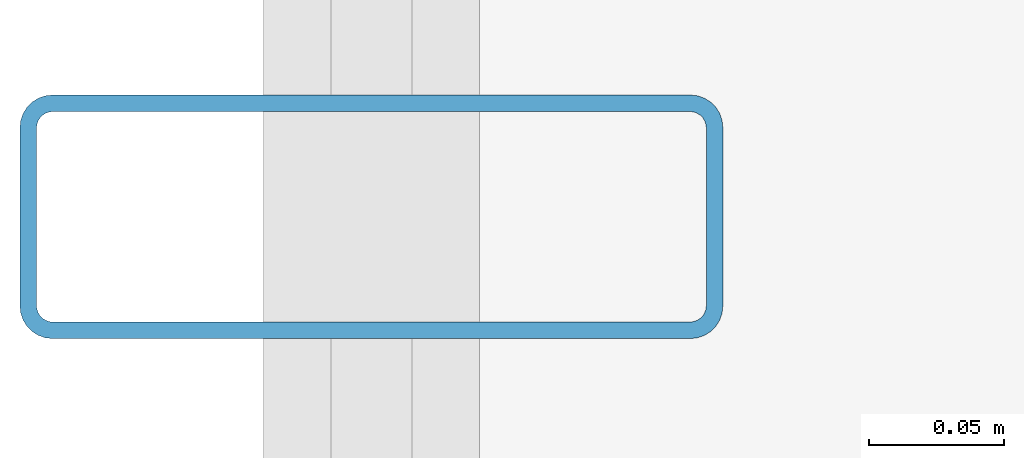
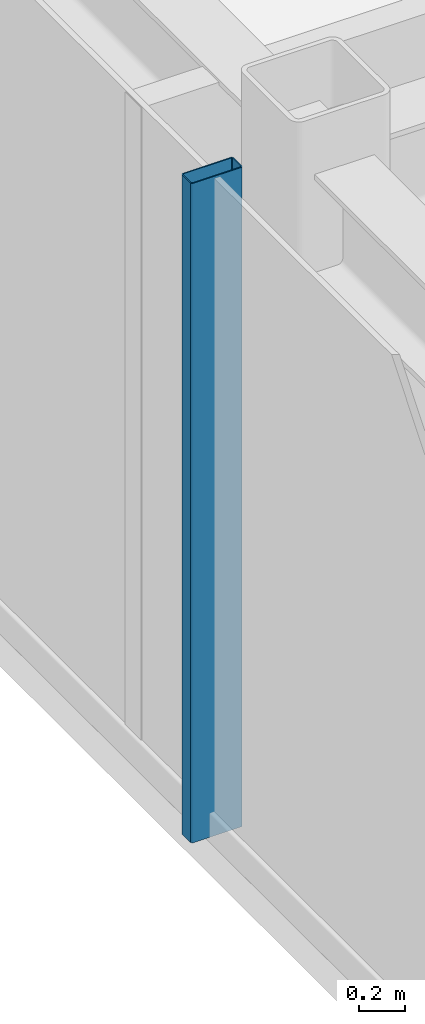
# One storey, part 4 of 18: 1 member, 1 element without a shape of its own.
"""IFC4 building model written with IfcOpenShell, lengths in metres."""

import ifcopenshell
import ifcopenshell.guid

model = None  # the IFC model being written
_history = None  # IfcOwnerHistory: only IFC2X3 demands one
_inside = {}  # id of a spatial element -> (the spatial element, [elements in it])
_under = {}  # id of a project, library or spatial element -> (it, [spatial elements below it])
_declared = {}  # id of a project -> (the project, [libraries it declares])
_typed = {}  # id of a type object -> (the type object, [elements of that type])
_made_of = {}  # id of a material, layer set ... -> (it, [elements and type objects made of it])


def new_model(schema):
    """Start an empty IFC model of exactly this schema.

    Asked for "IFC4X3", IfcOpenShell would pick the latest addendum, in which some entities
    have other attributes; the version numbers below select the first issue.
    IFC2X3 requires an IfcOwnerHistory on every rooted entity: one is made here for all.
    """
    global model, _history
    if schema == "IFC4X3":
        model = ifcopenshell.file(schema_version=(4, 3, 0, 0))
    else:
        model = ifcopenshell.file(schema=schema)
    _inside.clear()
    _under.clear()
    _declared.clear()
    _typed.clear()
    _made_of.clear()
    _history = None
    if model.schema == "IFC2X3":
        org = make("IfcOrganization", Name="unknown")
        user = make(
            "IfcPersonAndOrganization",
            ThePerson=make("IfcPerson", FamilyName="unknown"),
            TheOrganization=org,
        )
        app = make(
            "IfcApplication",
            ApplicationDeveloper=org,
            Version="unknown",
            ApplicationFullName="unknown",
            ApplicationIdentifier="unknown",
        )
        _history = make(
            "IfcOwnerHistory",
            OwningUser=user,
            OwningApplication=app,
            ChangeAction="ADDED",
            CreationDate=0,
        )
    return model


def make(cls, **values):
    """One entity of the class cls with the attributes given. An attribute that is None is left unset."""
    return model.create_entity(
        cls, **{name: value for name, value in values.items() if value is not None}
    )


def rooted(cls, **values):
    """An entity with a GlobalId (a new one), such as an element, a storey or a relation."""
    return make(cls, GlobalId=ifcopenshell.guid.new(), OwnerHistory=_history, **values)


def si_unit(unit_type, name, prefix=None):
    """IfcSIUnit, for example si_unit("LENGTHUNIT", "METRE", prefix="MILLI")."""
    return make("IfcSIUnit", UnitType=unit_type, Prefix=prefix, Name=name)


def assignment(units):
    """IfcUnitAssignment: the units of a project."""
    return None if units is None else make("IfcUnitAssignment", Units=units)


def point(xyz):
    """IfcCartesianPoint."""
    return None if xyz is None else make("IfcCartesianPoint", Coordinates=xyz)


def direction(xyz):
    """IfcDirection."""
    return None if xyz is None else make("IfcDirection", DirectionRatios=xyz)


def frame(location, z_axis=None, x_axis=None):
    """IfcAxis2Placement3D, a coordinate frame: its origin and axes. An axis left out is left unset."""
    return make(
        "IfcAxis2Placement3D",
        Location=point(location),
        Axis=direction(z_axis),
        RefDirection=direction(x_axis),
    )


def frame_2d(location, x_axis=None):
    """IfcAxis2Placement2D, a coordinate frame in the plane: its origin and x axis."""
    return make(
        "IfcAxis2Placement2D", Location=point(location), RefDirection=direction(x_axis)
    )


def origin():
    """The frame at (0, 0, 0) with its axes left unset."""
    return frame((0.0, 0.0, 0.0))


def origin_2d():
    """The frame at (0, 0) in the plane with its x axis left unset."""
    return frame_2d((0.0, 0.0))


def place(relative_to, where):
    """IfcLocalPlacement: puts the frame where relative to a parent placement (None: the world)."""
    return make(
        "IfcLocalPlacement", PlacementRelTo=relative_to, RelativePlacement=where
    )


def context(
    kind, dimensions, precision=None, world=None, true_north=None, identifier=None
):
    """IfcGeometricRepresentationContext, for example the 3D "Model" context."""
    return make(
        "IfcGeometricRepresentationContext",
        ContextIdentifier=identifier,
        ContextType=kind,
        CoordinateSpaceDimension=dimensions,
        Precision=precision,
        WorldCoordinateSystem=world,
        TrueNorth=true_north,
    )


def subcontext(parent, identifier, kind, view, scale=None):
    """IfcGeometricRepresentationSubContext, for example "Body" below "Model"."""
    return make(
        "IfcGeometricRepresentationSubContext",
        ContextIdentifier=identifier,
        ContextType=kind,
        ParentContext=parent,
        TargetScale=scale,
        TargetView=view,
    )


def project(units=None, contexts=None):
    """IfcProject with its units and contexts."""
    return rooted(
        "IfcProject",
        Name="project",
        RepresentationContexts=contexts,
        UnitsInContext=assignment(units),
    )


def spatial(cls, under=None, at=None, **own):
    """A site, building, storey or space (cls), placed at a placement, below another one or the project."""
    s = rooted(cls, ObjectPlacement=at, **own)
    if under is not None:
        _under.setdefault(under.id(), (under, []))[1].append(s)
    return s


def profile(cls, at=None, kind="AREA", **sizes):
    """A parametric profile (cls). Its sizes go by their IFC names, for example OverallWidth=200.0."""
    return make(cls, ProfileType=kind, Position=at, **sizes)


def hollow_rectangle(**sizes):
    """IfcRectangleHollowProfileDef."""
    return profile("IfcRectangleHollowProfileDef", **sizes)


def extrude(swept, where, along, depth):
    """IfcExtrudedAreaSolid: the profile swept, set in the frame where, extruded along a direction by depth."""
    return make(
        "IfcExtrudedAreaSolid",
        SweptArea=swept,
        Position=where,
        ExtrudedDirection=direction(along),
        Depth=depth,
    )


def shape(context_of_items, identifier, shape_type, items):
    """IfcShapeRepresentation: the items that make up one representation, for example the "Body"."""
    return make(
        "IfcShapeRepresentation",
        ContextOfItems=context_of_items,
        RepresentationIdentifier=identifier,
        RepresentationType=shape_type,
        Items=items,
    )


def source(mapping_origin, context_of_items, identifier, shape_type, items):
    """IfcRepresentationMap: a shape defined once, which mapped items show again and again."""
    return make(
        "IfcRepresentationMap",
        MappingOrigin=mapping_origin,
        MappedRepresentation=shape(context_of_items, identifier, shape_type, items),
    )


def transform(
    local_origin,
    x_axis=None,
    y_axis=None,
    z_axis=None,
    scale=None,
    scale2=None,
    scale3=None,
    uniform=True,
):
    """IfcCartesianTransformationOperator3D, or its non-uniform kind. x_axis, y_axis, z_axis: its Axis1, 2, 3."""
    if uniform:
        return make(
            "IfcCartesianTransformationOperator3D",
            Axis1=direction(x_axis),
            Axis2=direction(y_axis),
            LocalOrigin=point(local_origin),
            Scale=scale,
            Axis3=direction(z_axis),
        )
    return make(
        "IfcCartesianTransformationOperator3DnonUniform",
        Axis1=direction(x_axis),
        Axis2=direction(y_axis),
        LocalOrigin=point(local_origin),
        Scale=scale,
        Axis3=direction(z_axis),
        Scale2=scale2,
        Scale3=scale3,
    )


def mapped(mapping_source, mapping_target):
    """IfcMappedItem: shows the shape of a source again, moved by a transform."""
    return make(
        "IfcMappedItem", MappingSource=mapping_source, MappingTarget=mapping_target
    )


def material(Name=None, Category=None):
    """IfcMaterial."""
    return make("IfcMaterial", Name=Name, Category=Category)


def layer(
    of_material, thickness, ventilated=None, Name=None, Category=None, Priority=None
):
    """IfcMaterialLayer: one layer of a wall or slab, of a material (None: an air gap)."""
    return make(
        "IfcMaterialLayer",
        Material=of_material,
        LayerThickness=thickness,
        IsVentilated=ventilated,
        Name=Name,
        Category=Category,
        Priority=Priority,
    )


def layer_set(layers, Name=None):
    """IfcMaterialLayerSet."""
    return make("IfcMaterialLayerSet", MaterialLayers=layers, LayerSetName=Name)


def material_profile(
    of_material, cross_section, Name=None, Category=None, Priority=None
):
    """IfcMaterialProfile: a cross section and its material."""
    return make(
        "IfcMaterialProfile",
        Name=Name,
        Material=of_material,
        Profile=cross_section,
        Priority=Priority,
        Category=Category,
    )


def profile_set(profiles, Name=None, composite=None):
    """IfcMaterialProfileSet."""
    return make(
        "IfcMaterialProfileSet",
        Name=Name,
        MaterialProfiles=profiles,
        CompositeProfile=composite,
    )


def made_of(thing, what):
    """Note that an element or type object is made of a material, layer set ...; save() writes the relation."""
    if what is not None:
        _made_of.setdefault(what.id(), (what, []))[1].append(thing)
    return thing


def type_object(cls, material=None, **own):
    """A type object (cls), such as IfcWallType, which elements share."""
    return made_of(rooted(cls, **own), material)


def element(
    cls,
    number,
    at=None,
    inside=None,
    cuts=None,
    type_object=None,
    material=None,
    context=None,
    identifier="Body",
    shape_type=None,
    held_by="IfcProductDefinitionShape",
    body=None,
    shapes=None,
    **own,
):
    """One element of the class cls, such as IfcWall. Its Tag is "e" and its number.

    at: its placement. inside: the storey or other place that contains it. cuts: it is an
    opening in that element (IfcRelVoidsElement). A single representation is given by context,
    identifier, shape_type and body (its items); several are given by shapes. held_by: the class
    of the entity that holds the representations. save() writes the other relations.
    """
    e = rooted(cls, Tag="e%d" % number, ObjectPlacement=at, **own)
    if body is not None:
        shapes = [shape(context, identifier, shape_type, body)]
    if shapes is not None:
        e.Representation = make(held_by, Representations=shapes)
    if inside is not None:
        _inside.setdefault(inside.id(), (inside, []))[1].append(e)
    if cuts is not None:
        rooted(
            "IfcRelVoidsElement", RelatingBuildingElement=cuts, RelatedOpeningElement=e
        )
    if type_object is not None:
        _typed.setdefault(type_object.id(), (type_object, []))[1].append(e)
    return made_of(e, material)


def aggregate(whole, parts):
    """IfcRelAggregates: a whole, such as a stair, and the parts it consists of."""
    return rooted("IfcRelAggregates", RelatingObject=whole, RelatedObjects=parts)


def save(model, path):
    """Write the relations noted so far, then the file.

    IfcRelAggregates (storeys below a building ...), IfcRelContainedInSpatialStructure (elements
    in a storey), IfcRelDefinesByType, IfcRelAssociatesMaterial and IfcRelDeclares: one each for
    every whole, place, type object, material and project.
    """
    for whole, parts in _under.values():
        aggregate(whole, parts)
    for where, things in _inside.values():
        rooted(
            "IfcRelContainedInSpatialStructure",
            RelatedElements=things,
            RelatingStructure=where,
        )
    for kind, things in _typed.values():
        rooted("IfcRelDefinesByType", RelatedObjects=things, RelatingType=kind)
    for what, things in _made_of.values():
        rooted("IfcRelAssociatesMaterial", RelatedObjects=things, RelatingMaterial=what)
    for by, libraries in _declared.values():
        rooted("IfcRelDeclares", RelatingContext=by, RelatedDefinitions=libraries)
    model.write(path)


model = new_model("IFC4")

# Units and contexts
model_context = context("Model", 3, precision=1e-05, world=origin(), true_north=direction((0.0, 1.0)))
body_context = subcontext(model_context, "Body", "Model", "MODEL_VIEW")
ifc_project = project(units=[si_unit("LENGTHUNIT", "METRE"), si_unit("AREAUNIT", "SQUARE_METRE"), si_unit("VOLUMEUNIT", "CUBIC_METRE"), si_unit("PLANEANGLEUNIT", "RADIAN"), si_unit("MASSUNIT", "GRAM", prefix="KILO")], contexts=[model_context])

# Site, building, storey
site_placement = place(None, origin())
site = spatial("IfcSite", under=ifc_project, at=site_placement, CompositionType="ELEMENT")
building_placement = place(site_placement, origin())
building = spatial("IfcBuilding", under=site, at=building_placement, Name="Nefas-Gora Pilgrimage Tower", CompositionType="ELEMENT")
storey_placement = place(building_placement, frame((0.0, 0.0, 314.0)))
storey = spatial("IfcBuildingStorey", under=building, at=storey_placement, Name="L79", CompositionType="ELEMENT", Elevation=314.0)

# Curtain wall, member
ifc_material_1 = material(Name="Dark ceramic-fritted solar-control aluminium-glass curtain wall", Category="aluminium")
ifc_layer = layer(ifc_material_1, 0.219970703125)
ifc_layer_set = layer_set([ifc_layer], Name="Dark ceramic-fritted solar-control aluminium-glass curtain wall")
curtain_wall_type = type_object("IfcCurtainWallType", Name="CW-SYS-4", PredefinedType="NOTDEFINED", material=ifc_layer_set)
curtain_wall_placement = place(storey_placement, origin())
curtain_wall = element("IfcCurtainWall", 1, at=curtain_wall_placement, inside=storey, type_object=curtain_wall_type, Name="L79 Unitised Curtain Wall CW4", PredefinedType="NOTDEFINED")
ifc_material_2 = material(Name="Anodised architectural aluminium", Category="aluminium")
ifc_material_profile = material_profile(ifc_material_2, hollow_rectangle(XDim=0.090087890625, YDim=0.260009765625, WallThickness=0.006103515625, InnerFilletRadius=0.006103515625, OuterFilletRadius=0.011962890625, at=origin_2d()), Name="ALU MULLION 90x260")
ifc_profile_set = profile_set([ifc_material_profile], Name="Anodised architectural aluminium")
member_type = type_object("IfcMemberType", Name="CWM-MUL-4", PredefinedType="MULLION", material=ifc_profile_set)
shared_shape = source(origin(), body_context, "Body", "SweptSolid", [
    extrude(hollow_rectangle(XDim=0.090087890625, YDim=0.260009765625, WallThickness=0.006103515625, InnerFilletRadius=0.006103515625, OuterFilletRadius=0.011962890625, at=origin_2d()), origin(), (0.0, 0.0, 1.0), 3.5),
])
member_placement = place(storey_placement, frame((-25.27001953125, 0.0, 0.0), z_axis=(0.0, 0.0, 1.0), x_axis=(0.0, -1.0, 0.0)))
member = element("IfcMember", 2, at=member_placement, type_object=member_type, Name="CW4 Mullion 2", PredefinedType="MULLION", context=body_context, shape_type="MappedRepresentation", body=[
    mapped(shared_shape, transform((0.0, 0.0, 0.0), x_axis=(1.0, 0.0, 0.0), y_axis=(0.0, 1.0, 0.0), z_axis=(0.0, 0.0, 1.0), scale=1.0)),
])
aggregate(curtain_wall, [member])

save(model, "model.ifc")
